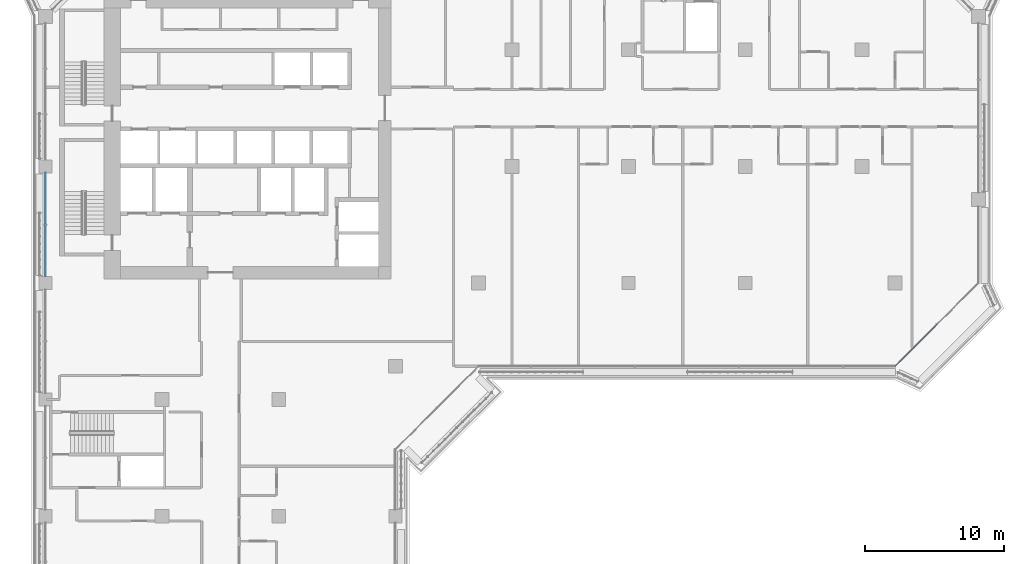
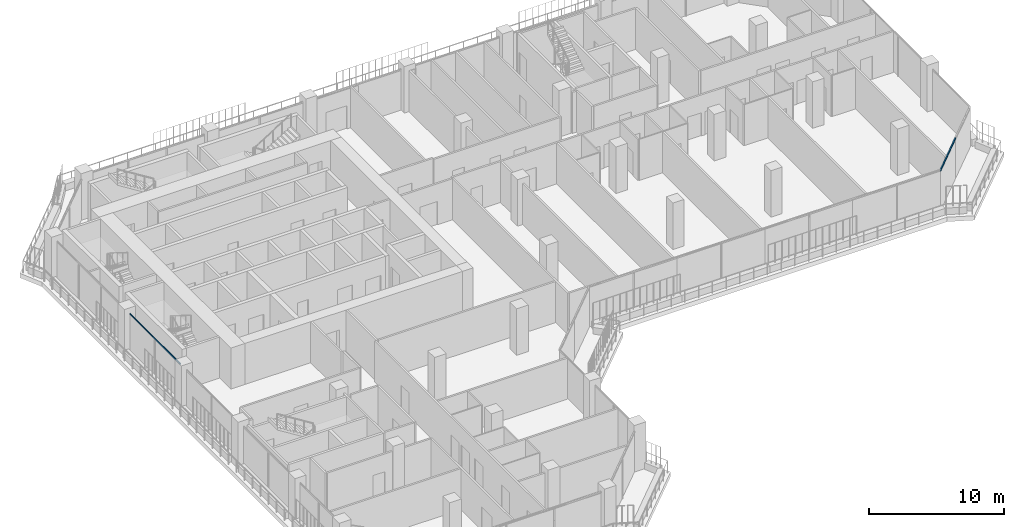
# One storey, part 4 of 22: 2 members, 2 elements without a shape of their own.
"""IFC4 building model written with IfcOpenShell, lengths in metres."""

from ifc_helpers import new_model, si_unit, direction, frame, origin, origin_2d, place, context, subcontext, project, spatial, rectangle, extrude, material, layer, layer_set, material_profile, profile_set, type_object, element, aggregate, save


model = new_model("IFC4")

# Units and contexts
model_context = context("Model", 3, precision=1e-05, world=origin(), true_north=direction((0.0, 1.0)))
body_context = subcontext(model_context, "Body", "Model", "MODEL_VIEW")
ifc_project = project(units=[si_unit("LENGTHUNIT", "METRE"), si_unit("AREAUNIT", "SQUARE_METRE"), si_unit("VOLUMEUNIT", "CUBIC_METRE"), si_unit("PLANEANGLEUNIT", "RADIAN"), si_unit("MASSUNIT", "GRAM", prefix="KILO")], contexts=[model_context])

# Site, building, storey
site_placement = place(None, origin())
site = spatial("IfcSite", under=ifc_project, at=site_placement, CompositionType="ELEMENT")
building_placement = place(site_placement, origin())
building = spatial("IfcBuilding", under=site, at=building_placement, Name="Kawkab Arch Medical Tower", CompositionType="ELEMENT")
storey_placement = place(building_placement, frame((0.0, 0.0, 208.800048828125)))
storey = spatial("IfcBuildingStorey", under=building, at=storey_placement, Name="L48", CompositionType="ELEMENT", Elevation=208.800048828125)

# Curtain wall, member
ifc_material_1 = material(Name="Bronze anodised aluminium curtain wall frame", Category="aluminium")
ifc_layer_1 = layer(ifc_material_1, 0.159912109375)
ifc_layer_set_1 = layer_set([ifc_layer_1], Name="Bronze anodised aluminium curtain wall frame")
curtain_wall_type_1 = type_object("IfcCurtainWallType", Name="CW1 ward curtain wall", PredefinedType="NOTDEFINED", material=ifc_layer_set_1)
placement = place(storey_placement, origin())
curtain_wall_1 = element("IfcCurtainWall", 1, at=placement, inside=storey, type_object=curtain_wall_type_1, Name="CW1 Ward curtain wall R01", PredefinedType="NOTDEFINED")
ifc_material_2 = material(Name="Bronze anodised aluminium curtain wall frame", Category="aluminium")
ifc_material_profile_1 = material_profile(ifc_material_2, rectangle(XDim=0.06005859375, YDim=0.1201171875, at=origin_2d()), Name="AL 60x120")
ifc_profile_set_1 = profile_set([ifc_material_profile_1], Name="Bronze anodised aluminium curtain wall frame")
member_type_1 = type_object("IfcMemberType", Name="CW1 transom 120 x 60", PredefinedType="USERDEFINED", material=ifc_profile_set_1)
member_1_placement = place(storey_placement, frame((0.0, -17.27490234375, 3.639892578125), z_axis=(0.0, -1.0, 0.0), x_axis=(1.0, 0.0, 0.0)))
member_1 = element("IfcMember", 2, at=member_1_placement, type_object=member_type_1, Name="CW1 transom 2", ObjectType="TRANSOM", PredefinedType="USERDEFINED", context=body_context, shape_type="SweptSolid", body=[
    extrude(rectangle(XDim=0.06005859375, YDim=0.1201171875, at=origin_2d()), origin(), (0.0, 0.0, 1.0), 7.4501953125),
])
aggregate(curtain_wall_1, [member_1])

ifc_material_3 = material(Name="Bronze anodised aluminium curtain wall frame", Category="aluminium")
ifc_layer_2 = layer(ifc_material_3, 0.159912109375)
ifc_layer_set_2 = layer_set([ifc_layer_2], Name="Bronze anodised aluminium curtain wall frame")
curtain_wall_type_2 = type_object("IfcCurtainWallType", Name="CW2 chamfer curtain wall", PredefinedType="NOTDEFINED", material=ifc_layer_set_2)
curtain_wall_2 = element("IfcCurtainWall", 3, at=placement, inside=storey, type_object=curtain_wall_type_2, Name="CW2 Chamfer curtain wall R08", PredefinedType="NOTDEFINED")
ifc_material_4 = material(Name="Bronze anodised aluminium curtain wall frame", Category="aluminium")
ifc_material_profile_2 = material_profile(ifc_material_4, rectangle(XDim=0.06005859375, YDim=0.139892578125, at=origin_2d()), Name="AL 60x140")
ifc_profile_set_2 = profile_set([ifc_material_profile_2], Name="Bronze anodised aluminium curtain wall frame")
member_type_2 = type_object("IfcMemberType", Name="CW2 transom 140 x 60", PredefinedType="USERDEFINED", material=ifc_profile_set_2)
member_2_placement = place(storey_placement, frame((61.199951171875, -31.199951171875, 3.6298828125), z_axis=(0.707106781187, 0.707106781187, 0.0), x_axis=(-0.707106781187, 0.707106781187, 0.0)))
member_2 = element("IfcMember", 4, at=member_2_placement, type_object=member_type_2, Name="CW2 transom 1", ObjectType="TRANSOM", PredefinedType="USERDEFINED", context=body_context, shape_type="SweptSolid", body=[
    extrude(rectangle(XDim=0.06005859375, YDim=0.139892578125, at=origin_2d()), origin(), (0.0, 0.0, 1.0), 4.24267578125),
])
aggregate(curtain_wall_2, [member_2])

save(model, "model.ifc")
